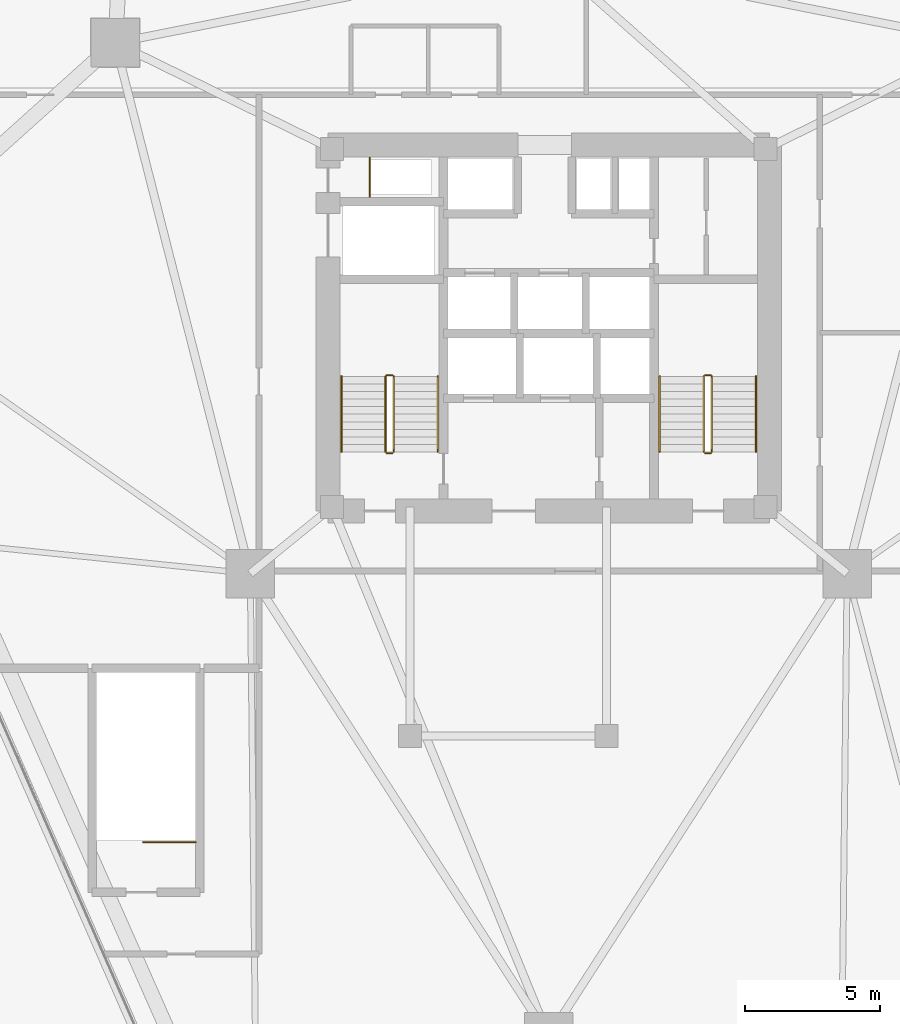
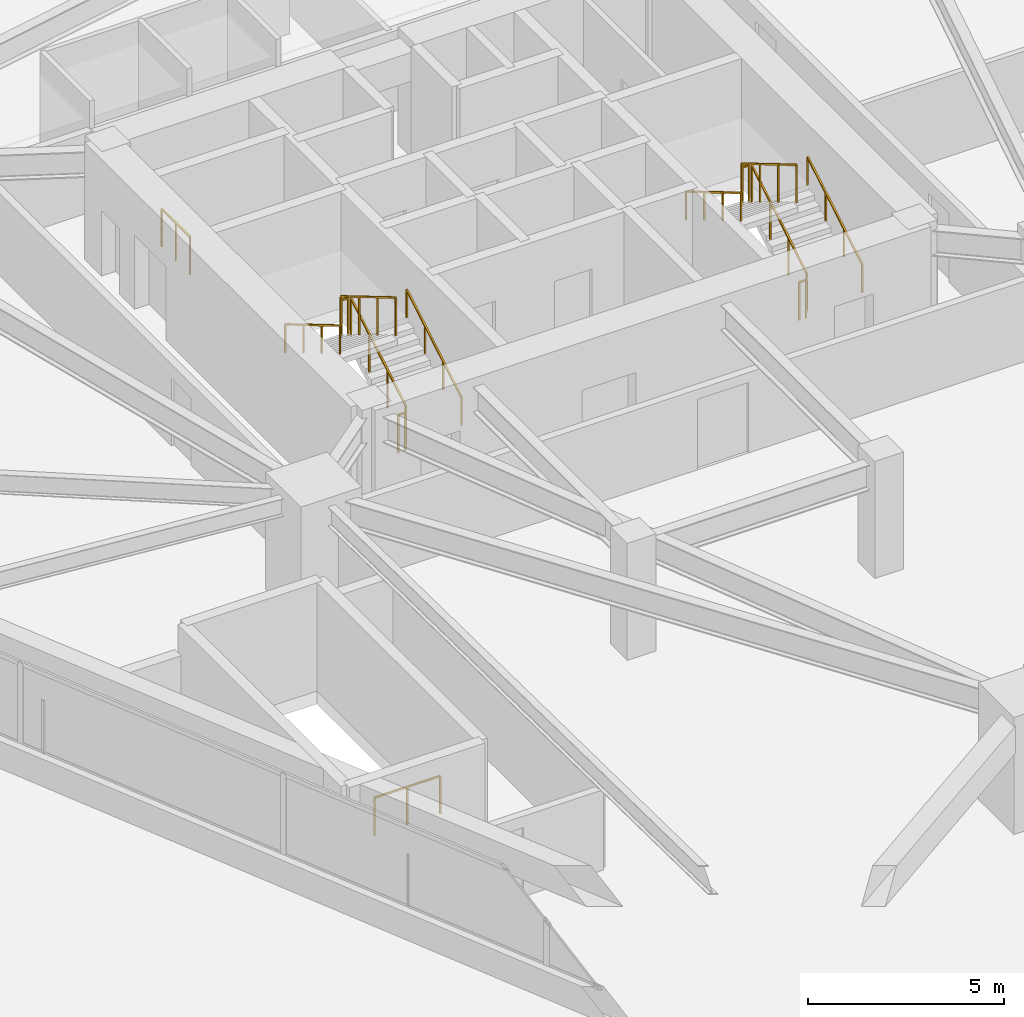
# One storey, part 20 of 21: 14 railings.
"""IFC4 building model written with IfcOpenShell, lengths in metres."""

from ifc_helpers import new_model, si_unit, direction, frame, origin, origin_2d, place, context, subcontext, project, spatial, rectangle, extrude, material, type_object, element, save


model = new_model("IFC4")

# Units and contexts
model_context = context("Model", 3, precision=1e-05, world=origin(), true_north=direction((0.0, 1.0)))
body_context = subcontext(model_context, "Body", "Model", "MODEL_VIEW")
ifc_project = project(units=[si_unit("LENGTHUNIT", "METRE"), si_unit("AREAUNIT", "SQUARE_METRE"), si_unit("VOLUMEUNIT", "CUBIC_METRE"), si_unit("PLANEANGLEUNIT", "RADIAN"), si_unit("MASSUNIT", "GRAM", prefix="KILO")], contexts=[model_context])

# Site, building, storey
site_placement = place(None, origin())
site = spatial("IfcSite", under=ifc_project, at=site_placement, CompositionType="ELEMENT")
building_placement = place(site_placement, origin())
building = spatial("IfcBuilding", under=site, at=building_placement, Name="Talyreon Biosciences Tower", CompositionType="ELEMENT")
storey_placement = place(building_placement, frame((0.0, 0.0, 22.800048828125)))
storey = spatial("IfcBuildingStorey", under=building, at=storey_placement, Name="L05", CompositionType="ELEMENT", Elevation=22.800048828125)

# Railings
ifc_material_1 = material(Name="Brushed stainless-steel tubular handrail", Category="steel")
railing_type_1 = type_object("IfcRailingType", Name="StairWallHandrail_900", PredefinedType="HANDRAIL", material=ifc_material_1)
railing_1_placement = place(storey_placement, frame((61.8798828125, 63.39990234375, 0.165771484375)))
element("IfcRailing", 1, at=railing_1_placement, inside=storey, type_object=railing_type_1, Name="L05 ST-1 stair handrail 1", PredefinedType="HANDRAIL", context=body_context, shape_type="SweptSolid", body=[
    extrude(rectangle(XDim=0.048095703125, YDim=0.048095703125, at=origin_2d()), frame((0.0, 0.0, 0.8759765625), z_axis=(0.0, 0.860306154799, 0.50977771628), x_axis=(-1.0, 0.0, 0.0)), (0.0, 0.0, 1.0), 3.254638671875),
    extrude(rectangle(XDim=0.0419921875, YDim=0.0419921875, at=origin_2d()), origin(), (0.0, 0.0, 1.0), 0.851806640625),
    extrude(rectangle(XDim=0.0419921875, YDim=0.0419921875, at=origin_2d()), frame((0.0, 0.933349609375, 0.552978515625)), (0.0, 0.0, 1.0), 0.851806640625),
    extrude(rectangle(XDim=0.0419921875, YDim=0.0419921875, at=origin_2d()), frame((0.0, 1.86669921875, 1.106201171875)), (0.0, 0.0, 1.0), 0.851806640625),
    extrude(rectangle(XDim=0.0419921875, YDim=0.0419921875, at=origin_2d()), frame((0.0, 2.800048828125, 1.6591796875)), (0.0, 0.0, 1.0), 0.851806640625),
])
railing_2_placement = place(storey_placement, frame((58.300048828125, 66.199951171875, 1.990966796875)))
element("IfcRailing", 2, at=railing_2_placement, inside=storey, type_object=railing_type_1, Name="L05 ST-1 stair handrail 2", PredefinedType="HANDRAIL", context=body_context, shape_type="SweptSolid", body=[
    extrude(rectangle(XDim=0.048095703125, YDim=0.048095703125, at=origin_2d()), frame((0.0, 0.0, 0.8759765625), z_axis=(0.0, -0.860339051648, 0.50972219513), x_axis=(1.0, 0.0, 0.0)), (0.0, 0.0, 1.0), 3.254638671875),
    extrude(rectangle(XDim=0.0419921875, YDim=0.0419921875, at=origin_2d()), origin(), (0.0, 0.0, 1.0), 0.851806640625),
    extrude(rectangle(XDim=0.0419921875, YDim=0.0419921875, at=origin_2d()), frame((0.0, -0.933349609375, 0.552978515625)), (0.0, 0.0, 1.0), 0.851806640625),
    extrude(rectangle(XDim=0.0419921875, YDim=0.0419921875, at=origin_2d()), frame((0.0, -1.86669921875, 1.10595703125)), (0.0, 0.0, 1.0), 0.851806640625),
    extrude(rectangle(XDim=0.0419921875, YDim=0.0419921875, at=origin_2d()), frame((0.0, -2.800048828125, 1.658935546875)), (0.0, 0.0, 1.0), 0.851806640625),
])
railing_3_placement = place(storey_placement, frame((73.699951171875, 63.39990234375, 0.165771484375)))
element("IfcRailing", 3, at=railing_3_placement, inside=storey, type_object=railing_type_1, Name="L05 ST-2 stair handrail 1", PredefinedType="HANDRAIL", context=body_context, shape_type="SweptSolid", body=[
    extrude(rectangle(XDim=0.048095703125, YDim=0.048095703125, at=origin_2d()), frame((0.0, 0.0, 0.8759765625), z_axis=(0.0, 0.860306154799, 0.50977771628), x_axis=(-1.0, 0.0, 0.0)), (0.0, 0.0, 1.0), 3.254638671875),
    extrude(rectangle(XDim=0.0419921875, YDim=0.0419921875, at=origin_2d()), origin(), (0.0, 0.0, 1.0), 0.851806640625),
    extrude(rectangle(XDim=0.0419921875, YDim=0.0419921875, at=origin_2d()), frame((0.0, 0.933349609375, 0.552978515625)), (0.0, 0.0, 1.0), 0.851806640625),
    extrude(rectangle(XDim=0.0419921875, YDim=0.0419921875, at=origin_2d()), frame((0.0, 1.86669921875, 1.106201171875)), (0.0, 0.0, 1.0), 0.851806640625),
    extrude(rectangle(XDim=0.0419921875, YDim=0.0419921875, at=origin_2d()), frame((0.0, 2.800048828125, 1.6591796875)), (0.0, 0.0, 1.0), 0.851806640625),
])
railing_4_placement = place(storey_placement, frame((70.1201171875, 66.199951171875, 1.990966796875)))
element("IfcRailing", 4, at=railing_4_placement, inside=storey, type_object=railing_type_1, Name="L05 ST-2 stair handrail 2", PredefinedType="HANDRAIL", context=body_context, shape_type="SweptSolid", body=[
    extrude(rectangle(XDim=0.048095703125, YDim=0.048095703125, at=origin_2d()), frame((0.0, 0.0, 0.8759765625), z_axis=(0.0, -0.860339051648, 0.50972219513), x_axis=(1.0, 0.0, 0.0)), (0.0, 0.0, 1.0), 3.254638671875),
    extrude(rectangle(XDim=0.0419921875, YDim=0.0419921875, at=origin_2d()), origin(), (0.0, 0.0, 1.0), 0.851806640625),
    extrude(rectangle(XDim=0.0419921875, YDim=0.0419921875, at=origin_2d()), frame((0.0, -0.933349609375, 0.552978515625)), (0.0, 0.0, 1.0), 0.851806640625),
    extrude(rectangle(XDim=0.0419921875, YDim=0.0419921875, at=origin_2d()), frame((0.0, -1.86669921875, 1.10595703125)), (0.0, 0.0, 1.0), 0.851806640625),
    extrude(rectangle(XDim=0.0419921875, YDim=0.0419921875, at=origin_2d()), frame((0.0, -2.800048828125, 1.658935546875)), (0.0, 0.0, 1.0), 0.851806640625),
])
ifc_material_2 = material(Name="Painted galvanised steel post-and-rail balustrade", Category="steel")
railing_type_2 = type_object("IfcRailingType", Name="TerraceStairGuard_1200", PredefinedType="GUARDRAIL", material=ifc_material_2)
railing_5_placement = place(storey_placement, frame((60.239990234375, 63.39990234375, 0.165771484375)))
element("IfcRailing", 5, at=railing_5_placement, inside=storey, type_object=railing_type_2, Name="L05 ST-1 stair guard 1", PredefinedType="GUARDRAIL", context=body_context, shape_type="SweptSolid", body=[
    extrude(rectangle(XDim=0.048095703125, YDim=0.048095703125, at=origin_2d()), frame((0.0, 0.0, 1.17578125), z_axis=(0.0, 0.860306154799, 0.50977771628), x_axis=(-1.0, 0.0, 0.0)), (0.0, 0.0, 1.0), 3.254638671875),
    extrude(rectangle(XDim=0.0419921875, YDim=0.0419921875, at=origin_2d()), origin(), (0.0, 0.0, 1.0), 1.15185546875),
    extrude(rectangle(XDim=0.0419921875, YDim=0.0419921875, at=origin_2d()), frame((0.0, 0.933349609375, 0.552978515625)), (0.0, 0.0, 1.0), 1.15185546875),
    extrude(rectangle(XDim=0.0419921875, YDim=0.0419921875, at=origin_2d()), frame((0.0, 1.86669921875, 1.106201171875)), (0.0, 0.0, 1.0), 1.15185546875),
    extrude(rectangle(XDim=0.0419921875, YDim=0.0419921875, at=origin_2d()), frame((0.0, 2.800048828125, 1.6591796875)), (0.0, 0.0, 1.0), 1.15185546875),
])
railing_6_placement = place(storey_placement, frame((60.18994140625, 66.25, 1.824951171875)))
element("IfcRailing", 6, at=railing_6_placement, inside=storey, type_object=railing_type_2, Name="L05 ST-1 stair guard 2", PredefinedType="GUARDRAIL", context=body_context, shape_type="SweptSolid", body=[
    extrude(rectangle(XDim=0.048095703125, YDim=0.048095703125, at=origin_2d()), frame((0.0, 0.0, 1.17578125), z_axis=(-1.0, 0.0, 0.0), x_axis=(0.0, -1.0, 0.0)), (0.0, 0.0, 1.0), 0.199951171875),
    extrude(rectangle(XDim=0.0419921875, YDim=0.0419921875, at=origin_2d()), origin(), (0.0, 0.0, 1.0), 1.15185546875),
    extrude(rectangle(XDim=0.0419921875, YDim=0.0419921875, at=origin_2d()), frame((-0.199951171875, 0.0, 0.0)), (0.0, 0.0, 1.0), 1.15185546875),
])
railing_7_placement = place(storey_placement, frame((59.93994140625, 66.199951171875, 1.990966796875)))
element("IfcRailing", 7, at=railing_7_placement, inside=storey, type_object=railing_type_2, Name="L05 ST-1 stair guard 3", PredefinedType="GUARDRAIL", context=body_context, shape_type="SweptSolid", body=[
    extrude(rectangle(XDim=0.048095703125, YDim=0.048095703125, at=origin_2d()), frame((0.0, 0.0, 1.17578125), z_axis=(0.0, -0.860339051648, 0.50972219513), x_axis=(1.0, 0.0, 0.0)), (0.0, 0.0, 1.0), 3.254638671875),
    extrude(rectangle(XDim=0.0419921875, YDim=0.0419921875, at=origin_2d()), origin(), (0.0, 0.0, 1.0), 1.15185546875),
    extrude(rectangle(XDim=0.0419921875, YDim=0.0419921875, at=origin_2d()), frame((0.0, -0.933349609375, 0.552978515625)), (0.0, 0.0, 1.0), 1.15185546875),
    extrude(rectangle(XDim=0.0419921875, YDim=0.0419921875, at=origin_2d()), frame((0.0, -1.86669921875, 1.10595703125)), (0.0, 0.0, 1.0), 1.15185546875),
    extrude(rectangle(XDim=0.0419921875, YDim=0.0419921875, at=origin_2d()), frame((0.0, -2.800048828125, 1.658935546875)), (0.0, 0.0, 1.0), 1.15185546875),
])
railing_8_placement = place(storey_placement, frame((60.18994140625, 63.35009765625, 0.0)))
element("IfcRailing", 8, at=railing_8_placement, inside=storey, type_object=railing_type_2, Name="L05 ST-1 stair guard 4", PredefinedType="GUARDRAIL", context=body_context, shape_type="SweptSolid", body=[
    extrude(rectangle(XDim=0.048095703125, YDim=0.048095703125, at=origin_2d()), frame((0.0, 0.0, 1.17578125), z_axis=(-1.0, 0.0, 0.0), x_axis=(0.0, -1.0, 0.0)), (0.0, 0.0, 1.0), 0.199951171875),
    extrude(rectangle(XDim=0.0419921875, YDim=0.0419921875, at=origin_2d()), origin(), (0.0, 0.0, 1.0), 1.15185546875),
    extrude(rectangle(XDim=0.0419921875, YDim=0.0419921875, at=origin_2d()), frame((-0.199951171875, 0.0, 0.0)), (0.0, 0.0, 1.0), 1.15185546875),
])
railing_9_placement = place(storey_placement, frame((72.06005859375, 63.39990234375, 0.165771484375)))
element("IfcRailing", 9, at=railing_9_placement, inside=storey, type_object=railing_type_2, Name="L05 ST-2 stair guard 1", PredefinedType="GUARDRAIL", context=body_context, shape_type="SweptSolid", body=[
    extrude(rectangle(XDim=0.048095703125, YDim=0.048095703125, at=origin_2d()), frame((0.0, 0.0, 1.17578125), z_axis=(0.0, 0.860306154799, 0.50977771628), x_axis=(-1.0, 0.0, 0.0)), (0.0, 0.0, 1.0), 3.254638671875),
    extrude(rectangle(XDim=0.0419921875, YDim=0.0419921875, at=origin_2d()), origin(), (0.0, 0.0, 1.0), 1.15185546875),
    extrude(rectangle(XDim=0.0419921875, YDim=0.0419921875, at=origin_2d()), frame((0.0, 0.933349609375, 0.552978515625)), (0.0, 0.0, 1.0), 1.15185546875),
    extrude(rectangle(XDim=0.0419921875, YDim=0.0419921875, at=origin_2d()), frame((0.0, 1.86669921875, 1.106201171875)), (0.0, 0.0, 1.0), 1.15185546875),
    extrude(rectangle(XDim=0.0419921875, YDim=0.0419921875, at=origin_2d()), frame((0.0, 2.800048828125, 1.6591796875)), (0.0, 0.0, 1.0), 1.15185546875),
])
railing_10_placement = place(storey_placement, frame((72.010009765625, 66.25, 1.824951171875)))
element("IfcRailing", 10, at=railing_10_placement, inside=storey, type_object=railing_type_2, Name="L05 ST-2 stair guard 2", PredefinedType="GUARDRAIL", context=body_context, shape_type="SweptSolid", body=[
    extrude(rectangle(XDim=0.048095703125, YDim=0.048095703125, at=origin_2d()), frame((0.0, 0.0, 1.17578125), z_axis=(-1.0, 0.0, 0.0), x_axis=(0.0, -1.0, 0.0)), (0.0, 0.0, 1.0), 0.199951171875),
    extrude(rectangle(XDim=0.0419921875, YDim=0.0419921875, at=origin_2d()), origin(), (0.0, 0.0, 1.0), 1.15185546875),
    extrude(rectangle(XDim=0.0419921875, YDim=0.0419921875, at=origin_2d()), frame((-0.199951171875, 0.0, 0.0)), (0.0, 0.0, 1.0), 1.15185546875),
])
railing_11_placement = place(storey_placement, frame((71.760009765625, 66.199951171875, 1.990966796875)))
element("IfcRailing", 11, at=railing_11_placement, inside=storey, type_object=railing_type_2, Name="L05 ST-2 stair guard 3", PredefinedType="GUARDRAIL", context=body_context, shape_type="SweptSolid", body=[
    extrude(rectangle(XDim=0.048095703125, YDim=0.048095703125, at=origin_2d()), frame((0.0, 0.0, 1.17578125), z_axis=(0.0, -0.860339051648, 0.50972219513), x_axis=(1.0, 0.0, 0.0)), (0.0, 0.0, 1.0), 3.254638671875),
    extrude(rectangle(XDim=0.0419921875, YDim=0.0419921875, at=origin_2d()), origin(), (0.0, 0.0, 1.0), 1.15185546875),
    extrude(rectangle(XDim=0.0419921875, YDim=0.0419921875, at=origin_2d()), frame((0.0, -0.933349609375, 0.552978515625)), (0.0, 0.0, 1.0), 1.15185546875),
    extrude(rectangle(XDim=0.0419921875, YDim=0.0419921875, at=origin_2d()), frame((0.0, -1.86669921875, 1.10595703125)), (0.0, 0.0, 1.0), 1.15185546875),
    extrude(rectangle(XDim=0.0419921875, YDim=0.0419921875, at=origin_2d()), frame((0.0, -2.800048828125, 1.658935546875)), (0.0, 0.0, 1.0), 1.15185546875),
])
railing_12_placement = place(storey_placement, frame((72.010009765625, 63.35009765625, 0.0)))
element("IfcRailing", 12, at=railing_12_placement, inside=storey, type_object=railing_type_2, Name="L05 ST-2 stair guard 4", PredefinedType="GUARDRAIL", context=body_context, shape_type="SweptSolid", body=[
    extrude(rectangle(XDim=0.048095703125, YDim=0.048095703125, at=origin_2d()), frame((0.0, 0.0, 1.17578125), z_axis=(-1.0, 0.0, 0.0), x_axis=(0.0, -1.0, 0.0)), (0.0, 0.0, 1.0), 0.199951171875),
    extrude(rectangle(XDim=0.0419921875, YDim=0.0419921875, at=origin_2d()), origin(), (0.0, 0.0, 1.0), 1.15185546875),
    extrude(rectangle(XDim=0.0419921875, YDim=0.0419921875, at=origin_2d()), frame((-0.199951171875, 0.0, 0.0)), (0.0, 0.0, 1.0), 1.15185546875),
])
railing_13_placement = place(storey_placement, frame((52.8798828125, 48.89990234375, 0.0)))
element("IfcRailing", 13, at=railing_13_placement, inside=storey, type_object=railing_type_2, Name="L05 ST-3 top well guard 1", PredefinedType="GUARDRAIL", context=body_context, shape_type="SweptSolid", body=[
    extrude(rectangle(XDim=0.048095703125, YDim=0.048095703125, at=origin_2d()), frame((0.0, 0.0, 1.17578125), z_axis=(-1.0, 0.0, 0.0), x_axis=(0.0, -1.0, 0.0)), (0.0, 0.0, 1.0), 1.93994140625),
    extrude(rectangle(XDim=0.0419921875, YDim=0.0419921875, at=origin_2d()), origin(), (0.0, 0.0, 1.0), 1.15185546875),
    extrude(rectangle(XDim=0.0419921875, YDim=0.0419921875, at=origin_2d()), frame((-0.969970703125, 0.0, 0.0)), (0.0, 0.0, 1.0), 1.15185546875),
    extrude(rectangle(XDim=0.0419921875, YDim=0.0419921875, at=origin_2d()), frame((-1.93994140625, 0.0, 0.0)), (0.0, 0.0, 1.0), 1.15185546875),
])
railing_14_placement = place(storey_placement, frame((59.35009765625, 72.8798828125, 0.0)))
element("IfcRailing", 14, at=railing_14_placement, inside=storey, type_object=railing_type_2, Name="L05 Exhaust Riser Maintenance Guardrail", PredefinedType="GUARDRAIL", context=body_context, shape_type="SweptSolid", body=[
    extrude(rectangle(XDim=0.048095703125, YDim=0.048095703125, at=origin_2d()), frame((0.0, 0.0, 1.17578125), z_axis=(0.0, 1.0, 0.0), x_axis=(-1.0, 0.0, 0.0)), (0.0, 0.0, 1.0), 1.4501953125),
    extrude(rectangle(XDim=0.0419921875, YDim=0.0419921875, at=origin_2d()), origin(), (0.0, 0.0, 1.0), 1.15185546875),
    extrude(rectangle(XDim=0.0419921875, YDim=0.0419921875, at=origin_2d()), frame((0.0, 0.72509765625, 0.0)), (0.0, 0.0, 1.0), 1.15185546875),
    extrude(rectangle(XDim=0.0419921875, YDim=0.0419921875, at=origin_2d()), frame((0.0, 1.4501953125, 0.0)), (0.0, 0.0, 1.0), 1.15185546875),
])

save(model, "model.ifc")
